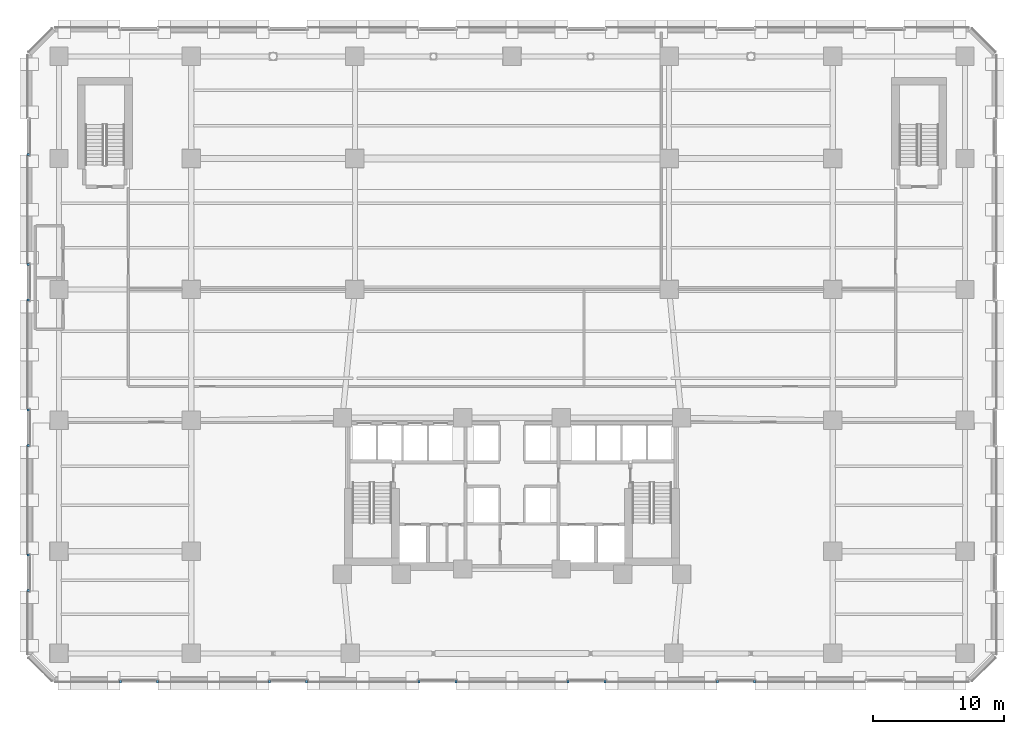
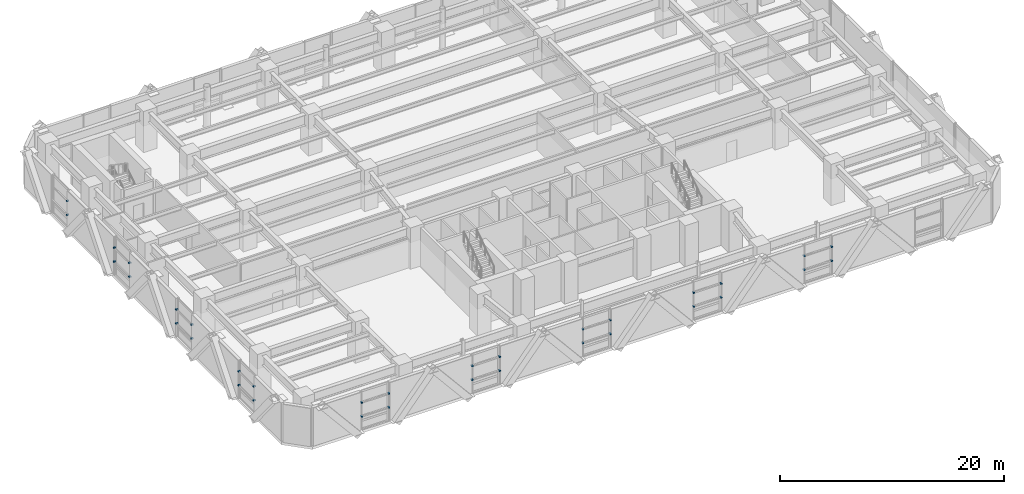
# One storey, part 17 of 26: 34 discrete accessories.
"""IFC4 building model written with IfcOpenShell, lengths in metres."""

from ifc_helpers import new_model, si_unit, direction, frame, origin, origin_2d, place, context, subcontext, project, spatial, rectangle, extrude, material, type_object, element, save


model = new_model("IFC4")

# Units and contexts
model_context = context("Model", 3, precision=1e-05, world=origin(), true_north=direction((0.0, 1.0)))
body_context = subcontext(model_context, "Body", "Model", "MODEL_VIEW")
ifc_project = project(units=[si_unit("LENGTHUNIT", "METRE"), si_unit("AREAUNIT", "SQUARE_METRE"), si_unit("VOLUMEUNIT", "CUBIC_METRE"), si_unit("PLANEANGLEUNIT", "RADIAN"), si_unit("MASSUNIT", "GRAM", prefix="KILO")], contexts=[model_context])

# Site, building, storey
site_placement = place(None, origin())
site = spatial("IfcSite", under=ifc_project, at=site_placement, CompositionType="ELEMENT")
building_placement = place(site_placement, origin())
building = spatial("IfcBuilding", under=site, at=building_placement, Name="Quenlor Broadcast Tower", CompositionType="ELEMENT")
storey_placement = place(building_placement, frame((0.0, 0.0, 14.0)))
storey = spatial("IfcBuildingStorey", under=building, at=storey_placement, Name="L03", CompositionType="ELEMENT", Elevation=14.0)

# Discrete accessories
ifc_material = material(Name="Aluminium 6063-T6", Category="aluminium")
discrete_accessory_type = type_object("IfcDiscreteAccessoryType", Name="Stainless Mullion Baguette Support Bracket", PredefinedType="BRACKET", material=ifc_material)
for number, where, z_axis, x_axis, name in (
    (1, (18.509521484375, -24.93994140625, 1.44189453125), (0.0, 0.0, 1.0), (-1.0, 0.0, 0.0), "L03 Baguette Mullion Bracket 1.1"),
    (2, (15.6904296875, -24.93994140625, 1.44189453125), (0.0, 0.0, 1.0), (-1.0, 0.0, 0.0), "L03 Baguette Mullion Bracket 1.2"),
    (3, (18.509521484375, -24.93994140625, 2.9541015625), (0.0, 0.0, 1.0), (-1.0, 0.0, 0.0), "L03 Baguette Mullion Bracket 2.1"),
    (4, (15.6904296875, -24.93994140625, 2.9541015625), (0.0, 0.0, 1.0), (-1.0, 0.0, 0.0), "L03 Baguette Mullion Bracket 2.2"),
    (5, (7.109619140625, -24.93994140625, 1.44189453125), (0.0, 0.0, 1.0), (-1.0, 0.0, 0.0), "L03 Baguette Mullion Bracket 1.1"),
    (6, (4.29052734375, -24.93994140625, 1.44189453125), (0.0, 0.0, 1.0), (-1.0, 0.0, 0.0), "L03 Baguette Mullion Bracket 1.2"),
    (7, (7.109619140625, -24.93994140625, 2.9541015625), (0.0, 0.0, 1.0), (-1.0, 0.0, 0.0), "L03 Baguette Mullion Bracket 2.1"),
    (8, (4.29052734375, -24.93994140625, 2.9541015625), (0.0, 0.0, 1.0), (-1.0, 0.0, 0.0), "L03 Baguette Mullion Bracket 2.2"),
    (9, (-4.29052734375, -24.93994140625, 1.44189453125), (0.0, 0.0, 1.0), (-1.0, 0.0, 0.0), "L03 Baguette Mullion Bracket 1.1"),
    (10, (-7.109619140625, -24.93994140625, 1.44189453125), (0.0, 0.0, 1.0), (-1.0, 0.0, 0.0), "L03 Baguette Mullion Bracket 1.2"),
    (11, (-4.29052734375, -24.93994140625, 2.9541015625), (0.0, 0.0, 1.0), (-1.0, 0.0, 0.0), "L03 Baguette Mullion Bracket 2.1"),
    (12, (-7.109619140625, -24.93994140625, 2.9541015625), (0.0, 0.0, 1.0), (-1.0, 0.0, 0.0), "L03 Baguette Mullion Bracket 2.2"),
    (13, (-15.6904296875, -24.93994140625, 1.44189453125), (0.0, 0.0, 1.0), (-1.0, 0.0, 0.0), "L03 Baguette Mullion Bracket 1.1"),
    (14, (-18.509521484375, -24.93994140625, 1.44189453125), (0.0, 0.0, 1.0), (-1.0, 0.0, 0.0), "L03 Baguette Mullion Bracket 1.2"),
    (15, (-15.6904296875, -24.93994140625, 2.9541015625), (0.0, 0.0, 1.0), (-1.0, 0.0, 0.0), "L03 Baguette Mullion Bracket 2.1"),
    (16, (-18.509521484375, -24.93994140625, 2.9541015625), (0.0, 0.0, 1.0), (-1.0, 0.0, 0.0), "L03 Baguette Mullion Bracket 2.2"),
    (17, (-27.090576171875, -24.93994140625, 1.44189453125), (0.0, 0.0, 1.0), (-1.0, 0.0, 0.0), "L03 Baguette Mullion Bracket 1.1"),
    (18, (-29.909423828125, -24.93994140625, 1.44189453125), (0.0, 0.0, 1.0), (-1.0, 0.0, 0.0), "L03 Baguette Mullion Bracket 1.2"),
    (19, (-27.090576171875, -24.93994140625, 2.9541015625), (0.0, 0.0, 1.0), (-1.0, 0.0, 0.0), "L03 Baguette Mullion Bracket 2.1"),
    (20, (-29.909423828125, -24.93994140625, 2.9541015625), (0.0, 0.0, 1.0), (-1.0, 0.0, 0.0), "L03 Baguette Mullion Bracket 2.2"),
    (21, (-36.93994140625, -18.00634765625, 1.44189453125), (0.0, 0.0, 1.0), (0.0, 1.0, 0.0), "L03 Baguette Mullion Bracket 1.1"),
    (22, (-36.93994140625, -15.293701171875, 1.44189453125), (0.0, 0.0, 1.0), (0.0, 1.0, 0.0), "L03 Baguette Mullion Bracket 1.2"),
    (23, (-36.93994140625, -18.00634765625, 2.9541015625), (0.0, 0.0, 1.0), (0.0, 1.0, 0.0), "L03 Baguette Mullion Bracket 2.1"),
    (24, (-36.93994140625, -15.293701171875, 2.9541015625), (0.0, 0.0, 1.0), (0.0, 1.0, 0.0), "L03 Baguette Mullion Bracket 2.2"),
    (25, (-36.93994140625, -6.90625, 1.44189453125), (0.0, 0.0, 1.0), (0.0, 1.0, 0.0), "L03 Baguette Mullion Bracket 1.1"),
    (26, (-36.93994140625, -4.193603515625, 1.44189453125), (0.0, 0.0, 1.0), (0.0, 1.0, 0.0), "L03 Baguette Mullion Bracket 1.2"),
    (27, (-36.93994140625, -6.90625, 2.9541015625), (0.0, 0.0, 1.0), (0.0, 1.0, 0.0), "L03 Baguette Mullion Bracket 2.1"),
    (28, (-36.93994140625, -4.193603515625, 2.9541015625), (0.0, 0.0, 1.0), (0.0, 1.0, 0.0), "L03 Baguette Mullion Bracket 2.2"),
    (29, (-36.93994140625, 4.193603515625, 1.44189453125), (0.0, 0.0, 1.0), (0.0, 1.0, 0.0), "L03 Baguette Mullion Bracket 1.1"),
    (30, (-36.93994140625, 6.90625, 1.44189453125), (0.0, 0.0, 1.0), (0.0, 1.0, 0.0), "L03 Baguette Mullion Bracket 1.2"),
    (31, (-36.93994140625, 4.193603515625, 2.9541015625), (0.0, 0.0, 1.0), (0.0, 1.0, 0.0), "L03 Baguette Mullion Bracket 2.1"),
    (32, (-36.93994140625, 6.90625, 2.9541015625), (0.0, 0.0, 1.0), (0.0, 1.0, 0.0), "L03 Baguette Mullion Bracket 2.2"),
    (33, (-36.93994140625, 15.293701171875, 1.44189453125), (0.0, 0.0, 1.0), (0.0, 1.0, 0.0), "L03 Baguette Mullion Bracket 1.1"),
    (34, (-36.93994140625, 15.293701171875, 2.9541015625), (0.0, 0.0, 1.0), (0.0, 1.0, 0.0), "L03 Baguette Mullion Bracket 2.1"),
):
    element("IfcDiscreteAccessory", number, at=place(storey_placement, frame(where, z_axis=z_axis, x_axis=x_axis)), inside=storey, type_object=discrete_accessory_type, Name=name, PredefinedType="BRACKET", context=body_context, shape_type="SweptSolid", body=[
        extrude(rectangle(XDim=0.159912109375, YDim=0.239990234375, at=origin_2d()), origin(), (0.0, 0.0, 1.0), 0.139892578125),
    ])

save(model, "model.ifc")
